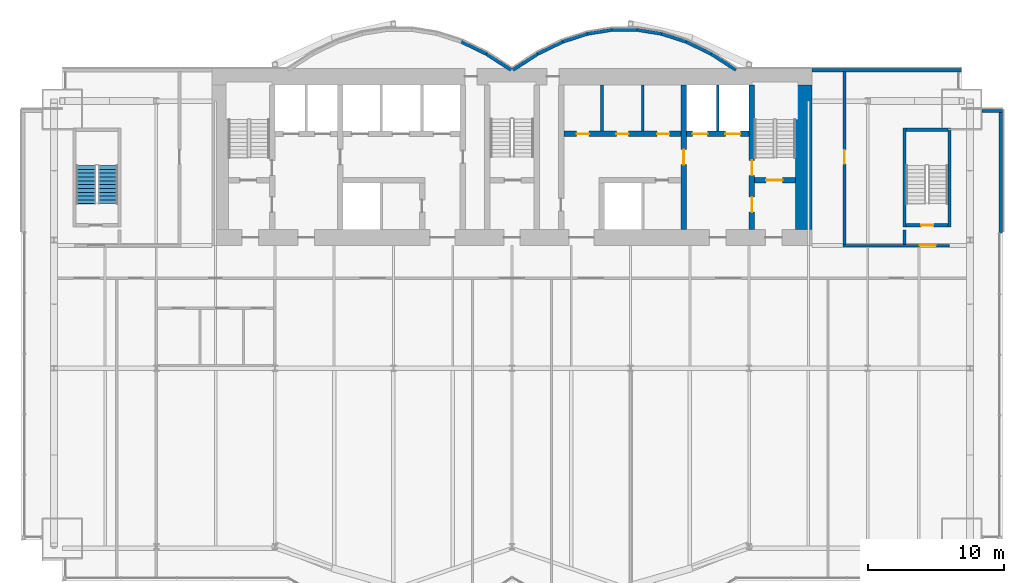
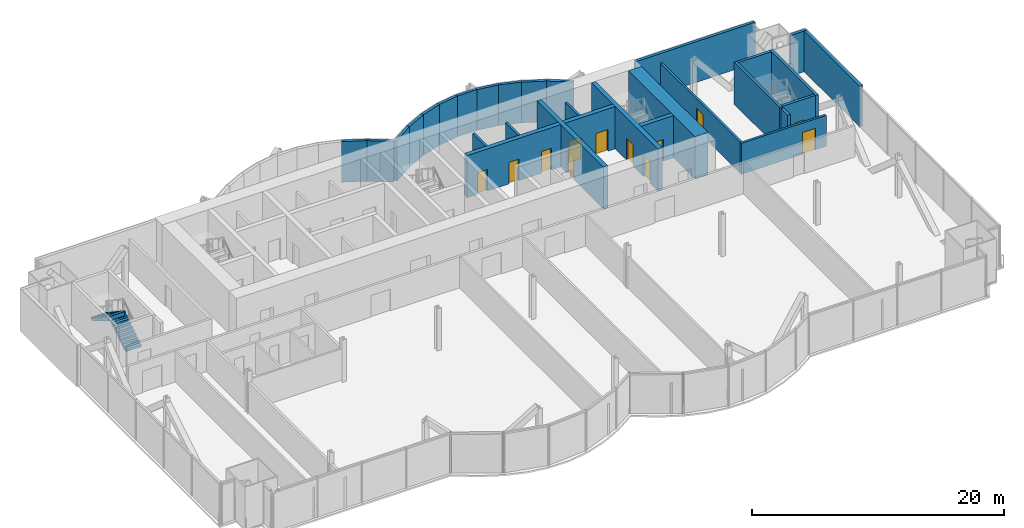
# One storey, part 17 of 21: 29 walls, 12 doors, 2 stair flights, 12 openings, 1 element without a shape of its own.
"""IFC4 building model written with IfcOpenShell, lengths in metres."""

from ifc_helpers import new_model, si_unit, direction, frame, frame_2d, origin, place, context, subcontext, project, spatial, polyline, rectangle, outline, extrude, material, layer, layer_set, layer_usage, type_object, element, fill, aggregate, save


model = new_model("IFC4")

# Units and contexts
model_context = context("Model", 3, precision=1e-05, world=origin(), true_north=direction((0.0, 1.0)))
body_context = subcontext(model_context, "Body", "Model", "MODEL_VIEW")
ifc_project = project(units=[si_unit("LENGTHUNIT", "METRE"), si_unit("AREAUNIT", "SQUARE_METRE"), si_unit("VOLUMEUNIT", "CUBIC_METRE"), si_unit("PLANEANGLEUNIT", "RADIAN"), si_unit("MASSUNIT", "GRAM", prefix="KILO")], contexts=[model_context])

# Site, building, storey
site_placement = place(None, origin())
site = spatial("IfcSite", under=ifc_project, at=site_placement, CompositionType="ELEMENT")
building_placement = place(site_placement, origin())
building = spatial("IfcBuilding", under=site, at=building_placement, Name="Bicima Exchange Tower", CompositionType="ELEMENT")
storey_placement = place(building_placement, frame((0.0, 0.0, 114.5)))
storey = spatial("IfcBuildingStorey", under=building, at=storey_placement, Name="L24", CompositionType="ELEMENT", Elevation=114.5)

# Wall
ifc_material_1 = material(Name="Gypsum board partition")
ifc_layer_1 = layer(ifc_material_1, 0.199951171875)
ifc_layer_set_1 = layer_set([ifc_layer_1], Name="Gypsum board partition")
wall_type_1 = type_object("IfcWallType", Name="Fire-rated gypsum partition 200 EI120", PredefinedType="PARTITIONING", material=ifc_layer_set_1)
wall_1_placement = place(storey_placement, frame((15.10009765625, -4.60009765625, 0.0), z_axis=(0.0, 0.0, 1.0), x_axis=(0.0, 1.0, 0.0)))
element("IfcWall", 1, at=wall_1_placement, inside=storey, type_object=wall_type_1, Name="partition wall 24", PredefinedType="PARTITIONING", context=body_context, shape_type="SweptSolid", body=[
    extrude(rectangle(XDim=3.400146484375, YDim=0.199951171875, at=frame_2d((1.7001953125, 0.0))), origin(), (0.0, 0.0, 1.0), 3.018310546875),
])

# Wall, opening, door
ifc_layer_2 = layer(ifc_material_1, 0.199951171875)
ifc_layer_set_2 = layer_set([ifc_layer_2], Name="Gypsum board partition")
wall_type_2 = type_object("IfcWallType", Name="Fire-rated gypsum partition 200 EI60", PredefinedType="PARTITIONING", material=ifc_layer_set_2)
wall_2_placement = place(storey_placement, frame((24.300048828125, -13.0, 0.0), z_axis=(0.0, 0.0, 1.0), x_axis=(1.0, 0.0, 0.0)))
wall_2 = element("IfcWall", 2, at=wall_2_placement, inside=storey, type_object=wall_type_2, Name="partition wall 5", PredefinedType="PARTITIONING", context=body_context, shape_type="SweptSolid", body=[
    extrude(rectangle(XDim=7.800048828125, YDim=0.199951171875, at=frame_2d((3.89990234375, 0.0))), origin(), (0.0, 0.0, 1.0), 3.018310546875),
])
opening_1_placement = place(wall_2_placement, frame((5.60009765625, 0.0, 0.0)))
opening_1 = element("IfcOpeningElement", 3, at=opening_1_placement, cuts=wall_2, Name="Opening L24-003", PredefinedType="OPENING", context=body_context, shape_type="SweptSolid", body=[
    extrude(rectangle(XDim=1.199951171875, YDim=2.10009765625, at=frame_2d((0.60009765625, 1.050048828125))), frame((0.0, 0.11181640625, 0.0), z_axis=(0.0, -1.0, 0.0), x_axis=(1.0, 0.0, 0.0)), (0.0, 0.0, 1.0), 0.223876953125),
])
ifc_material_2 = material(Name="Steel fire door leaf", Category="steel")
door_type_1 = type_object("IfcDoorType", Name="Door 1200 swing FD30S", OperationType="SINGLE_SWING_LEFT", PredefinedType="DOOR", material=ifc_material_2)
door_1_placement = place(opening_1_placement, origin())
door_1 = element("IfcDoor", 4, at=door_1_placement, inside=storey, type_object=door_type_1, Name="Door", OperationType="SINGLE_SWING_RIGHT", OverallHeight=2.10009765625, OverallWidth=1.199951171875, PredefinedType="DOOR", context=body_context, shape_type="SweptSolid", body=[
    extrude(rectangle(XDim=1.199951171875, YDim=2.10009765625, at=frame_2d((0.60009765625, 1.050048828125))), frame((0.0, 0.02490234375, 0.0), z_axis=(0.0, -1.0, 0.0), x_axis=(1.0, 0.0, 0.0)), (0.0, 0.0, 1.0), 0.050048828125),
])
fill(opening_1, door_1)

wall_3_placement = place(storey_placement, frame((24.39990234375, -12.89990234375, 0.0), z_axis=(0.0, 0.0, 1.0), x_axis=(0.0, 1.0, 0.0)))
wall_3 = element("IfcWall", 5, at=wall_3_placement, inside=storey, type_object=wall_type_2, Name="partition wall 25", PredefinedType="PARTITIONING", context=body_context, shape_type="SweptSolid", body=[
    extrude(rectangle(XDim=12.68994140625, YDim=0.199951171875, at=frame_2d((6.344970703125, 0.0))), origin(), (0.0, 0.0, 1.0), 3.018310546875),
])
opening_2_placement = place(wall_3_placement, frame((5.89990234375, 0.0, 0.0)))
opening_2 = element("IfcOpeningElement", 6, at=opening_2_placement, cuts=wall_3, Name="Opening L24-006", PredefinedType="OPENING", context=body_context, shape_type="SweptSolid", body=[
    extrude(rectangle(XDim=1.0, YDim=2.10009765625, at=frame_2d((0.5, 1.050048828125))), frame((0.0, 0.11181640625, 0.0), z_axis=(0.0, -1.0, 0.0), x_axis=(1.0, 0.0, 0.0)), (0.0, 0.0, 1.0), 0.223876953125),
])
door_type_2 = type_object("IfcDoorType", Name="Door 1000 swing FD30S", OperationType="SINGLE_SWING_LEFT", PredefinedType="DOOR", material=ifc_material_2)
door_2_placement = place(opening_2_placement, frame((1.0, 0.0, 0.0), z_axis=(0.0, 0.0, 1.0), x_axis=(-1.0, 0.0, 0.0)))
door_2 = element("IfcDoor", 7, at=door_2_placement, inside=storey, type_object=door_type_2, Name="Door", OperationType="SINGLE_SWING_RIGHT", OverallHeight=2.10009765625, OverallWidth=1.0, PredefinedType="DOOR", context=body_context, shape_type="SweptSolid", body=[
    extrude(rectangle(XDim=1.0, YDim=2.10009765625, at=frame_2d((0.5, 1.050048828125))), frame((0.0, 0.02490234375, 0.0), z_axis=(0.0, -1.0, 0.0), x_axis=(1.0, 0.0, 0.0)), (0.0, 0.0, 1.0), 0.050048828125),
])
fill(opening_2, door_2)

# Walls
for number, where, z_axis, x_axis, name in (
    (8, (6.60009765625, -4.60009765625, 0.0), (0.0, 0.0, 1.0), (0.0, 1.0, 0.0), "partition wall 20"),
    (9, (9.60009765625, -4.60009765625, 0.0), (0.0, 0.0, 1.0), (0.0, 1.0, 0.0), "partition wall 22"),
):
    element("IfcWall", number, at=place(storey_placement, frame(where, z_axis=z_axis, x_axis=x_axis)), inside=storey, type_object=wall_type_2, Name=name, PredefinedType="PARTITIONING", context=body_context, shape_type="SweptSolid", body=[
        extrude(rectangle(XDim=3.400146484375, YDim=0.199951171875, at=frame_2d((1.7001953125, 0.0))), origin(), (0.0, 0.0, 1.0), 3.018310546875),
    ])
ifc_material_3 = material(Name="Concrete C60/75", Category="concrete")
ifc_layer_3 = layer(ifc_material_3, 1.199951171875)
ifc_layer_set_3 = layer_set([ifc_layer_3], Name="Concrete C60/75")
wall_type_3 = type_object("IfcWallType", Name="RC core wall 1200 C60/75", PredefinedType="SHEAR", material=ifc_layer_set_3)
wall_4_placement = place(storey_placement, frame((21.39990234375, -11.800048828125, 0.0), z_axis=(0.0, 0.0, 1.0), x_axis=(0.0, 1.0, 0.0)))
element("IfcWall", 10, at=wall_4_placement, inside=storey, type_object=wall_type_3, Name="Core wall east", PredefinedType="SHEAR", context=body_context, shape_type="SweptSolid", body=[
    extrude(rectangle(XDim=10.60009765625, YDim=1.199951171875, at=frame_2d((5.300048828125, 0.0))), origin(), (0.0, 0.0, 1.0), 4.10009765625),
])
ifc_material_4 = material(Name="Concrete C50/60", Category="concrete")
ifc_layer_4 = layer(ifc_material_4, 0.25)
ifc_layer_set_4 = layer_set([ifc_layer_4], Name="Concrete C50/60")
wall_type_4 = type_object("IfcWallType", Name="RC core wall 250 C50/60", PredefinedType="SHEAR", material=ifc_layer_set_4)
wall_5_placement = place(storey_placement, frame((28.800048828125, -12.89990234375, 0.0), z_axis=(0.0, 0.0, 1.0), x_axis=(0.0, 1.0, 0.0)))
element("IfcWall", 11, at=wall_5_placement, inside=storey, type_object=wall_type_4, Name="stair wall 26", PredefinedType="SHEAR", context=body_context, shape_type="SweptSolid", body=[
    extrude(rectangle(XDim=1.0498046875, YDim=0.25, at=frame_2d((0.52490234375, 0.0))), origin(), (0.0, 0.0, 1.0), 4.10009765625),
])

# Wall, opening, door
ifc_layer_5 = layer(ifc_material_4, 0.39990234375)
ifc_layer_set_5 = layer_set([ifc_layer_5], Name="Concrete C50/60")
wall_type_5 = type_object("IfcWallType", Name="RC core wall 400 C50/60", PredefinedType="SHEAR", material=ifc_layer_set_5)
wall_6_placement = place(storey_placement, frame((17.800048828125, -8.199951171875, 0.0), z_axis=(0.0, 0.0, 1.0), x_axis=(1.0, 0.0, 0.0)))
wall_6 = element("IfcWall", 12, at=wall_6_placement, inside=storey, type_object=wall_type_5, Name="stair wall 5", PredefinedType="SHEAR", context=body_context, shape_type="SweptSolid", body=[
    extrude(rectangle(XDim=3.0, YDim=0.39990234375, at=frame_2d((1.5, 0.0))), origin(), (0.0, 0.0, 1.0), 4.10009765625),
])
opening_3_placement = place(wall_6_placement, frame((0.85009765625, 0.0, 0.0)))
opening_3 = element("IfcOpeningElement", 13, at=opening_3_placement, cuts=wall_6, Name="Opening L24-C04", PredefinedType="OPENING", context=body_context, shape_type="SweptSolid", body=[
    extrude(rectangle(XDim=1.199951171875, YDim=2.10009765625, at=frame_2d((0.60009765625, 1.050048828125))), frame((0.0, 0.2119140625, 0.0), z_axis=(0.0, -1.0, 0.0), x_axis=(1.0, 0.0, 0.0)), (0.0, 0.0, 1.0), 0.423828125),
])
door_type_3 = type_object("IfcDoorType", Name="Door 1200 swing FD60S", OperationType="SINGLE_SWING_LEFT", PredefinedType="DOOR", material=ifc_material_2)
door_3_placement = place(opening_3_placement, origin())
door_3 = element("IfcDoor", 14, at=door_3_placement, inside=storey, type_object=door_type_3, Name="Core door", OperationType="SINGLE_SWING_RIGHT", OverallHeight=2.10009765625, OverallWidth=1.199951171875, PredefinedType="DOOR", context=body_context, shape_type="SweptSolid", body=[
    extrude(rectangle(XDim=1.199951171875, YDim=2.10009765625, at=frame_2d((0.60009765625, 1.050048828125))), frame((0.0, 0.02490234375, 0.0), z_axis=(0.0, -1.0, 0.0), x_axis=(1.0, 0.0, 0.0)), (0.0, 0.0, 1.0), 0.050048828125),
])
fill(opening_3, door_3)

# Wall, openings, doors
wall_7_placement = place(storey_placement, frame((17.60009765625, -11.800048828125, 0.0), z_axis=(0.0, 0.0, 1.0), x_axis=(0.0, 1.0, 0.0)))
wall_7 = element("IfcWall", 15, at=wall_7_placement, inside=storey, type_object=wall_type_5, Name="stair wall 25", PredefinedType="SHEAR", context=body_context, shape_type="SweptSolid", body=[
    extrude(rectangle(XDim=10.60009765625, YDim=0.39990234375, at=frame_2d((5.300048828125, 0.0))), origin(), (0.0, 0.0, 1.0), 4.10009765625),
])
opening_4_placement = place(wall_7_placement, frame((1.25, 0.0, 0.0)))
opening_4 = element("IfcOpeningElement", 16, at=opening_4_placement, cuts=wall_7, Name="Opening L24-C05", PredefinedType="OPENING", context=body_context, shape_type="SweptSolid", body=[
    extrude(rectangle(XDim=1.10009765625, YDim=2.10009765625, at=frame_2d((0.550048828125, 1.050048828125))), frame((0.0, 0.2119140625, 0.0), z_axis=(0.0, -1.0, 0.0), x_axis=(1.0, 0.0, 0.0)), (0.0, 0.0, 1.0), 0.423828125),
])
opening_5_placement = place(wall_7_placement, frame((3.949951171875, 0.0, 0.0)))
opening_5 = element("IfcOpeningElement", 17, at=opening_5_placement, cuts=wall_7, Name="Opening L24-C08", PredefinedType="OPENING", context=body_context, shape_type="SweptSolid", body=[
    extrude(rectangle(XDim=1.10009765625, YDim=2.10009765625, at=frame_2d((0.550048828125, 1.050048828125))), frame((0.0, 0.2119140625, 0.0), z_axis=(0.0, -1.0, 0.0), x_axis=(1.0, 0.0, 0.0)), (0.0, 0.0, 1.0), 0.423828125),
])
door_type_4 = type_object("IfcDoorType", Name="Door 1100 swing FD60S", OperationType="SINGLE_SWING_LEFT", PredefinedType="DOOR", material=ifc_material_2)
door_4_placement = place(opening_4_placement, origin())
door_4 = element("IfcDoor", 18, at=door_4_placement, inside=storey, type_object=door_type_4, Name="Core door", OperationType="SINGLE_SWING_LEFT", OverallHeight=2.10009765625, OverallWidth=1.10009765625, PredefinedType="DOOR", context=body_context, shape_type="SweptSolid", body=[
    extrude(rectangle(XDim=1.10009765625, YDim=2.10009765625, at=frame_2d((0.550048828125, 1.050048828125))), frame((0.0, 0.02490234375, 0.0), z_axis=(0.0, -1.0, 0.0), x_axis=(1.0, 0.0, 0.0)), (0.0, 0.0, 1.0), 0.050048828125),
])
fill(opening_4, door_4)
door_5_placement = place(opening_5_placement, origin())
door_5 = element("IfcDoor", 19, at=door_5_placement, inside=storey, type_object=door_type_4, Name="Core door", OperationType="SINGLE_SWING_RIGHT", OverallHeight=2.10009765625, OverallWidth=1.10009765625, PredefinedType="DOOR", context=body_context, shape_type="SweptSolid", body=[
    extrude(rectangle(XDim=1.10009765625, YDim=2.10009765625, at=frame_2d((0.550048828125, 1.050048828125))), frame((0.0, 0.02490234375, 0.0), z_axis=(0.0, -1.0, 0.0), x_axis=(1.0, 0.0, 0.0)), (0.0, 0.0, 1.0), 0.050048828125),
])
fill(opening_5, door_5)

ifc_layer_6 = layer(ifc_material_3, 0.39990234375)
ifc_layer_set_6 = layer_set([ifc_layer_6], Name="Concrete C60/75")
wall_type_6 = type_object("IfcWallType", Name="RC core wall 400 C60/75", PredefinedType="SHEAR", material=ifc_layer_set_6)
wall_8_placement = place(storey_placement, frame((3.800048828125, -4.800048828125, 0.0), z_axis=(0.0, 0.0, 1.0), x_axis=(1.0, 0.0, 0.0)))
wall_8 = element("IfcWall", 20, at=wall_8_placement, inside=storey, type_object=wall_type_6, Name="shear wall 7", PredefinedType="SHEAR", context=body_context, shape_type="SweptSolid", body=[
    extrude(rectangle(XDim=13.599853515625, YDim=0.39990234375, at=frame_2d((6.7998046875, 0.0))), origin(), (0.0, 0.0, 1.0), 4.10009765625),
])
opening_6_placement = place(wall_8_placement, frame((9.449951171875, 0.0, 0.0)))
opening_6 = element("IfcOpeningElement", 21, at=opening_6_placement, cuts=wall_8, Name="Opening LD-FF2-L24", PredefinedType="OPENING", context=body_context, shape_type="SweptSolid", body=[
    extrude(rectangle(XDim=1.10009765625, YDim=2.10009765625, at=frame_2d((0.550048828125, 1.050048828125))), frame((0.0, 0.2119140625, 0.0), z_axis=(0.0, -1.0, 0.0), x_axis=(1.0, 0.0, 0.0)), (0.0, 0.0, 1.0), 0.423828125),
])
opening_7_placement = place(wall_8_placement, frame((11.85009765625, 0.0, 0.0)))
opening_7 = element("IfcOpeningElement", 22, at=opening_7_placement, cuts=wall_8, Name="Opening LD-SV1-L24", PredefinedType="OPENING", context=body_context, shape_type="SweptSolid", body=[
    extrude(rectangle(XDim=1.10009765625, YDim=2.10009765625, at=frame_2d((0.550048828125, 1.050048828125))), frame((0.0, 0.2119140625, 0.0), z_axis=(0.0, -1.0, 0.0), x_axis=(1.0, 0.0, 0.0)), (0.0, 0.0, 1.0), 0.423828125),
])
opening_8_placement = place(wall_8_placement, frame((0.949951171875, 0.0, 0.0)))
opening_8 = element("IfcOpeningElement", 23, at=opening_8_placement, cuts=wall_8, Name="Opening L24-C12", PredefinedType="OPENING", context=body_context, shape_type="SweptSolid", body=[
    extrude(rectangle(XDim=0.89990234375, YDim=2.10009765625, at=frame_2d((0.449951171875, 1.050048828125))), frame((0.0, 0.2119140625, 0.0), z_axis=(0.0, -1.0, 0.0), x_axis=(1.0, 0.0, 0.0)), (0.0, 0.0, 1.0), 0.423828125),
])
opening_9_placement = place(wall_8_placement, frame((3.85009765625, 0.0, 0.0)))
opening_9 = element("IfcOpeningElement", 24, at=opening_9_placement, cuts=wall_8, Name="Opening L24-C13", PredefinedType="OPENING", context=body_context, shape_type="SweptSolid", body=[
    extrude(rectangle(XDim=0.89990234375, YDim=2.10009765625, at=frame_2d((0.449951171875, 1.050048828125))), frame((0.0, 0.2119140625, 0.0), z_axis=(0.0, -1.0, 0.0), x_axis=(1.0, 0.0, 0.0)), (0.0, 0.0, 1.0), 0.423828125),
])
opening_10_placement = place(wall_8_placement, frame((6.85009765625, 0.0, 0.0)))
opening_10 = element("IfcOpeningElement", 25, at=opening_10_placement, cuts=wall_8, Name="Opening L24-C14", PredefinedType="OPENING", context=body_context, shape_type="SweptSolid", body=[
    extrude(rectangle(XDim=0.89990234375, YDim=2.10009765625, at=frame_2d((0.449951171875, 1.050048828125))), frame((0.0, 0.2119140625, 0.0), z_axis=(0.0, -1.0, 0.0), x_axis=(1.0, 0.0, 0.0)), (0.0, 0.0, 1.0), 0.423828125),
])
door_type_5 = type_object("IfcDoorType", Name="Door 900 swing FD30S", OperationType="SINGLE_SWING_LEFT", PredefinedType="DOOR", material=ifc_material_2)
door_6_placement = place(opening_8_placement, origin())
door_6 = element("IfcDoor", 26, at=door_6_placement, inside=storey, type_object=door_type_5, Name="Core door", OperationType="SINGLE_SWING_RIGHT", OverallHeight=2.10009765625, OverallWidth=0.89990234375, PredefinedType="DOOR", context=body_context, shape_type="SweptSolid", body=[
    extrude(rectangle(XDim=0.89990234375, YDim=2.10009765625, at=frame_2d((0.449951171875, 1.050048828125))), frame((0.0, 0.02490234375, 0.0), z_axis=(0.0, -1.0, 0.0), x_axis=(1.0, 0.0, 0.0)), (0.0, 0.0, 1.0), 0.050048828125),
])
fill(opening_8, door_6)
door_7_placement = place(opening_9_placement, origin())
door_7 = element("IfcDoor", 27, at=door_7_placement, inside=storey, type_object=door_type_5, Name="Core door", OperationType="SINGLE_SWING_LEFT", OverallHeight=2.10009765625, OverallWidth=0.89990234375, PredefinedType="DOOR", context=body_context, shape_type="SweptSolid", body=[
    extrude(rectangle(XDim=0.89990234375, YDim=2.10009765625, at=frame_2d((0.449951171875, 1.050048828125))), frame((0.0, 0.02490234375, 0.0), z_axis=(0.0, -1.0, 0.0), x_axis=(1.0, 0.0, 0.0)), (0.0, 0.0, 1.0), 0.050048828125),
])
fill(opening_9, door_7)
door_8_placement = place(opening_10_placement, origin())
door_8 = element("IfcDoor", 28, at=door_8_placement, inside=storey, type_object=door_type_5, Name="Core door", OperationType="SINGLE_SWING_RIGHT", OverallHeight=2.10009765625, OverallWidth=0.89990234375, PredefinedType="DOOR", context=body_context, shape_type="SweptSolid", body=[
    extrude(rectangle(XDim=0.89990234375, YDim=2.10009765625, at=frame_2d((0.449951171875, 1.050048828125))), frame((0.0, 0.02490234375, 0.0), z_axis=(0.0, -1.0, 0.0), x_axis=(1.0, 0.0, 0.0)), (0.0, 0.0, 1.0), 0.050048828125),
])
fill(opening_10, door_8)
ifc_material_5 = material(Name="Stainless steel", Category="steel")
door_type_6 = type_object("IfcDoorType", Name="Lift landing door 1100 sliding", OperationType="DOUBLE_DOOR_SLIDING", PredefinedType="DOOR", material=ifc_material_5)
door_9_placement = place(opening_6_placement, origin())
door_9 = element("IfcDoor", 29, at=door_9_placement, inside=storey, type_object=door_type_6, Name="Lift landing door FF2", OperationType="DOUBLE_DOOR_SLIDING", OverallHeight=2.10009765625, OverallWidth=1.10009765625, PredefinedType="DOOR", context=body_context, shape_type="SweptSolid", body=[
    extrude(rectangle(XDim=1.10009765625, YDim=2.10009765625, at=frame_2d((0.550048828125, 1.050048828125))), frame((0.0, 0.02490234375, 0.0), z_axis=(0.0, -1.0, 0.0), x_axis=(1.0, 0.0, 0.0)), (0.0, 0.0, 1.0), 0.050048828125),
])
fill(opening_6, door_9)
door_10_placement = place(opening_7_placement, origin())
door_10 = element("IfcDoor", 30, at=door_10_placement, inside=storey, type_object=door_type_6, Name="Lift landing door SV1", OperationType="DOUBLE_DOOR_SLIDING", OverallHeight=2.10009765625, OverallWidth=1.10009765625, PredefinedType="DOOR", context=body_context, shape_type="SweptSolid", body=[
    extrude(rectangle(XDim=1.10009765625, YDim=2.10009765625, at=frame_2d((0.550048828125, 1.050048828125))), frame((0.0, 0.02490234375, 0.0), z_axis=(0.0, -1.0, 0.0), x_axis=(1.0, 0.0, 0.0)), (0.0, 0.0, 1.0), 0.050048828125),
])
fill(opening_7, door_10)

# Wall, opening, door
wall_9_placement = place(storey_placement, frame((12.60009765625, -11.800048828125, 0.0), z_axis=(0.0, 0.0, 1.0), x_axis=(0.0, 1.0, 0.0)))
wall_9 = element("IfcWall", 31, at=wall_9_placement, inside=storey, type_object=wall_type_6, Name="shear wall 23", PredefinedType="SHEAR", context=body_context, shape_type="SweptSolid", body=[
    extrude(rectangle(XDim=10.60009765625, YDim=0.39990234375, at=frame_2d((5.300048828125, 0.0))), origin(), (0.0, 0.0, 1.0), 4.10009765625),
])
opening_11_placement = place(wall_9_placement, frame((4.75, 0.0, 0.0)))
opening_11 = element("IfcOpeningElement", 32, at=opening_11_placement, cuts=wall_9, Name="Opening L24-C09", PredefinedType="OPENING", context=body_context, shape_type="SweptSolid", body=[
    extrude(rectangle(XDim=1.10009765625, YDim=2.10009765625, at=frame_2d((0.550048828125, 1.050048828125))), frame((0.0, 0.2119140625, 0.0), z_axis=(0.0, -1.0, 0.0), x_axis=(1.0, 0.0, 0.0)), (0.0, 0.0, 1.0), 0.423828125),
])
door_11_placement = place(opening_11_placement, frame((1.10009765625, 0.0, 0.0), z_axis=(0.0, 0.0, 1.0), x_axis=(-1.0, 0.0, 0.0)))
door_11 = element("IfcDoor", 33, at=door_11_placement, inside=storey, type_object=door_type_4, Name="Core door", OperationType="SINGLE_SWING_RIGHT", OverallHeight=2.10009765625, OverallWidth=1.10009765625, PredefinedType="DOOR", context=body_context, shape_type="SweptSolid", body=[
    extrude(rectangle(XDim=1.10009765625, YDim=2.10009765625, at=frame_2d((0.550048828125, 1.050048828125))), frame((0.0, 0.02490234375, 0.0), z_axis=(0.0, -1.0, 0.0), x_axis=(1.0, 0.0, 0.0)), (0.0, 0.0, 1.0), 0.050048828125),
])
fill(opening_11, door_11)

# Walls
ifc_layer_7 = layer(ifc_material_4, 0.25)
ifc_layer_set_7 = layer_set([ifc_layer_7], Name="Concrete C50/60")
wall_type_7 = type_object("IfcWallType", Name="RC stair enclosure wall 250 C50/60", PredefinedType="SHEAR", material=ifc_layer_set_7)
for number, where, z_axis, x_axis, name in (
    (34, (28.800048828125, -11.625, 0.0), (0.0, 0.0, 1.0), (0.0, 1.0, 0.0), "East end exit stair wall W"),
    (35, (32.10009765625, -11.625, 0.0), (0.0, 0.0, 1.0), (0.0, 1.0, 0.0), "East end exit stair wall E"),
):
    element("IfcWall", number, at=place(storey_placement, frame(where, z_axis=z_axis, x_axis=x_axis)), inside=storey, type_object=wall_type_7, Name=name, PredefinedType="SHEAR", context=body_context, shape_type="SweptSolid", body=[
        extrude(rectangle(XDim=7.25, YDim=0.25, at=frame_2d((3.625, 0.0))), origin(), (0.0, 0.0, 1.0), 4.10009765625),
    ])

# Wall, opening, door
wall_10_placement = place(storey_placement, frame((28.925048828125, -11.5, 0.0), z_axis=(0.0, 0.0, 1.0), x_axis=(1.0, 0.0, 0.0)))
wall_10 = element("IfcWall", 36, at=wall_10_placement, inside=storey, type_object=wall_type_7, Name="East end exit stair wall S", PredefinedType="SHEAR", context=body_context, shape_type="SweptSolid", body=[
    extrude(rectangle(XDim=3.050048828125, YDim=0.25, at=frame_2d((1.52490234375, 0.0))), origin(), (0.0, 0.0, 1.0), 4.10009765625),
])
opening_12_placement = place(wall_10_placement, frame((1.10009765625, 0.0, 0.0)))
opening_12 = element("IfcOpeningElement", 37, at=opening_12_placement, cuts=wall_10, Name="Opening L24-004", PredefinedType="OPENING", context=body_context, shape_type="SweptSolid", body=[
    extrude(rectangle(XDim=0.89990234375, YDim=2.10009765625, at=frame_2d((0.449951171875, 1.050048828125))), frame((0.0, 0.136962890625, 0.0), z_axis=(0.0, -1.0, 0.0), x_axis=(1.0, 0.0, 0.0)), (0.0, 0.0, 1.0), 0.27392578125),
])
door_type_7 = type_object("IfcDoorType", Name="Door 900 swing FD60S", OperationType="SINGLE_SWING_LEFT", PredefinedType="DOOR", material=ifc_material_2)
door_12_placement = place(opening_12_placement, origin())
door_12 = element("IfcDoor", 38, at=door_12_placement, inside=storey, type_object=door_type_7, Name="Door", OperationType="SINGLE_SWING_LEFT", OverallHeight=2.10009765625, OverallWidth=0.89990234375, PredefinedType="DOOR", context=body_context, shape_type="SweptSolid", body=[
    extrude(rectangle(XDim=0.89990234375, YDim=2.10009765625, at=frame_2d((0.449951171875, 1.050048828125))), frame((0.0, 0.02490234375, 0.0), z_axis=(0.0, -1.0, 0.0), x_axis=(1.0, 0.0, 0.0)), (0.0, 0.0, 1.0), 0.050048828125),
])
fill(opening_12, door_12)

# Walls
wall_11_placement = place(storey_placement, frame((28.925048828125, -4.5, 0.0), z_axis=(0.0, 0.0, 1.0), x_axis=(1.0, 0.0, 0.0)))
element("IfcWall", 39, at=wall_11_placement, inside=storey, type_object=wall_type_7, Name="East end exit stair wall N", PredefinedType="SHEAR", context=body_context, shape_type="SweptSolid", body=[
    extrude(rectangle(XDim=3.050048828125, YDim=0.25, at=frame_2d((1.52490234375, 0.0))), origin(), (0.0, 0.0, 1.0), 4.10009765625),
])
ifc_material_6 = material(Name="Concrete C40/50", Category="concrete")
ifc_layer_8 = layer(ifc_material_6, 0.25)
ifc_layer_set_8 = layer_set([ifc_layer_8], Name="Concrete C40/50")
ifc_layer_usage = layer_usage(ifc_layer_set_8, "AXIS2", "POSITIVE", -0.125)
wall_type_8 = type_object("IfcWallType", Name="Rear backup wall 250", PredefinedType="STANDARD", material=ifc_layer_set_8)
wall_12_placement = place(storey_placement, frame((33.0, -0.125, 0.0), z_axis=(0.0, 0.0, 1.0), x_axis=(-1.0, 0.0, 0.0)))
element("IfcWall", 40, at=wall_12_placement, inside=storey, type_object=wall_type_8, material=ifc_layer_usage, Name="Rear backup wall L24 1", PredefinedType="STANDARD", context=body_context, shape_type="SweptSolid", body=[
    extrude(rectangle(XDim=11.0, YDim=0.25, at=frame_2d((5.5, 0.0))), origin(), (0.0, 0.0, 1.0), 3.949951171875),
])
wall_13_placement = place(storey_placement, frame((16.43212890625, -0.10498046875, 0.0), z_axis=(0.0, 0.0, 1.0), x_axis=(-0.83981312244, 0.542875602121, 0.0)))
element("IfcWall", 41, at=wall_13_placement, inside=storey, type_object=wall_type_8, material=ifc_layer_usage, Name="Rear backup wall L24 2", PredefinedType="STANDARD", context=body_context, shape_type="SweptSolid", body=[
    extrude(rectangle(XDim=2.182861328125, YDim=0.25, at=frame_2d((1.09130859375, 0.0))), origin(), (0.0, 0.0, 1.0), 3.949951171875),
])
wall_14_placement = place(storey_placement, frame((14.6123046875, 1.07275390625, 0.0), z_axis=(0.0, 0.0, 1.0), x_axis=(-0.89982408427, 0.436252928206, 0.0)))
element("IfcWall", 42, at=wall_14_placement, inside=storey, type_object=wall_type_8, material=ifc_layer_usage, Name="Rear backup wall L24 3", PredefinedType="STANDARD", context=body_context, shape_type="SweptSolid", body=[
    extrude(rectangle(XDim=2.03759765625, YDim=0.25, at=frame_2d((1.018798828125, 0.0))), origin(), (0.0, 0.0, 1.0), 3.949951171875),
])
wall_15_placement = place(storey_placement, frame((12.794921875, 1.955078125, 0.0), z_axis=(0.0, 0.0, 1.0), x_axis=(-0.951495806175, 0.307661714928, 0.0)))
element("IfcWall", 43, at=wall_15_placement, inside=storey, type_object=wall_type_8, material=ifc_layer_usage, Name="Rear backup wall L24 4", PredefinedType="STANDARD", context=body_context, shape_type="SweptSolid", body=[
    extrude(rectangle(XDim=1.9267578125, YDim=0.25, at=frame_2d((0.96337890625, 0.0))), origin(), (0.0, 0.0, 1.0), 3.949951171875),
])
wall_16_placement = place(storey_placement, frame((10.97998046875, 2.543212890625, 0.0), z_axis=(0.0, 0.0, 1.0), x_axis=(-0.987181718931, 0.159600293885, 0.0)))
element("IfcWall", 44, at=wall_16_placement, inside=storey, type_object=wall_type_8, material=ifc_layer_usage, Name="Rear backup wall L24 5", PredefinedType="STANDARD", context=body_context, shape_type="SweptSolid", body=[
    extrude(rectangle(XDim=1.857177734375, YDim=0.25, at=frame_2d((0.9287109375, 0.0))), origin(), (0.0, 0.0, 1.0), 3.949951171875),
])
wall_17_placement = place(storey_placement, frame((9.166748046875, 2.837890625, 0.0), z_axis=(0.0, 0.0, 1.0), x_axis=(-1.0, 0.0, 0.0)))
element("IfcWall", 45, at=wall_17_placement, inside=storey, type_object=wall_type_8, material=ifc_layer_usage, Name="Rear backup wall L24 6", PredefinedType="STANDARD", context=body_context, shape_type="SweptSolid", body=[
    extrude(rectangle(XDim=1.83349609375, YDim=0.25, at=frame_2d((0.916748046875, 0.0))), origin(), (0.0, 0.0, 1.0), 3.949951171875),
])
wall_18_placement = place(storey_placement, frame((7.353271484375, 2.839599609375, 0.0), z_axis=(0.0, 0.0, 1.0), x_axis=(-0.987181718931, -0.159600293885, 0.0)))
element("IfcWall", 46, at=wall_18_placement, inside=storey, type_object=wall_type_8, material=ifc_layer_usage, Name="Rear backup wall L24 7", PredefinedType="STANDARD", context=body_context, shape_type="SweptSolid", body=[
    extrude(rectangle(XDim=1.857177734375, YDim=0.25, at=frame_2d((0.9287109375, 0.0))), origin(), (0.0, 0.0, 1.0), 3.949951171875),
])
wall_19_placement = place(storey_placement, frame((5.538330078125, 2.5478515625, 0.0), z_axis=(0.0, 0.0, 1.0), x_axis=(-0.951495806175, -0.307661714928, 0.0)))
element("IfcWall", 47, at=wall_19_placement, inside=storey, type_object=wall_type_8, material=ifc_layer_usage, Name="Rear backup wall L24 8", PredefinedType="STANDARD", context=body_context, shape_type="SweptSolid", body=[
    extrude(rectangle(XDim=1.9267578125, YDim=0.25, at=frame_2d((0.96337890625, 0.0))), origin(), (0.0, 0.0, 1.0), 3.949951171875),
])
wall_20_placement = place(storey_placement, frame((3.72119140625, 1.961669921875, 0.0), z_axis=(0.0, 0.0, 1.0), x_axis=(-0.89982408427, -0.436252928206, 0.0)))
element("IfcWall", 48, at=wall_20_placement, inside=storey, type_object=wall_type_8, material=ifc_layer_usage, Name="Rear backup wall L24 9", PredefinedType="STANDARD", context=body_context, shape_type="SweptSolid", body=[
    extrude(rectangle(XDim=2.03759765625, YDim=0.25, at=frame_2d((1.018798828125, 0.0))), origin(), (0.0, 0.0, 1.0), 3.949951171875),
])
for number, where, z_axis, x_axis, name in (
    (49, (1.901123046875, 1.080078125, 0.0), (0.0, 0.0, 1.0), (-0.83981312244, -0.542875602121, 0.0), "Rear backup wall L24 10"),
    (50, (-0.06787109375, -0.10498046875, 0.0), (0.0, 0.0, 1.0), (-0.83981312244, 0.542875602121, 0.0), "Rear backup wall L24 11"),
):
    element("IfcWall", number, at=place(storey_placement, frame(where, z_axis=z_axis, x_axis=x_axis)), inside=storey, type_object=wall_type_8, material=ifc_layer_usage, Name=name, PredefinedType="STANDARD", context=body_context, shape_type="SweptSolid", body=[
        extrude(rectangle(XDim=2.182861328125, YDim=0.25, at=frame_2d((1.09130859375, 0.0))), origin(), (0.0, 0.0, 1.0), 3.949951171875),
    ])
wall_21_placement = place(storey_placement, frame((-1.8876953125, 1.07275390625, 0.0), z_axis=(0.0, 0.0, 1.0), x_axis=(-0.89982408427, 0.436252928206, 0.0)))
element("IfcWall", 51, at=wall_21_placement, inside=storey, type_object=wall_type_8, material=ifc_layer_usage, Name="Rear backup wall L24 12", PredefinedType="STANDARD", context=body_context, shape_type="SweptSolid", body=[
    extrude(rectangle(XDim=2.03759765625, YDim=0.25, at=frame_2d((1.018798828125, 0.0))), origin(), (0.0, 0.0, 1.0), 3.949951171875),
])
wall_22_placement = place(storey_placement, frame((35.875, -12.090087890625, 0.0), z_axis=(0.0, 0.0, 1.0), x_axis=(0.0, 1.0, 0.0)))
element("IfcWall", 52, at=wall_22_placement, inside=storey, type_object=wall_type_8, material=ifc_layer_usage, Name="Rear backup wall L24 50", PredefinedType="STANDARD", context=body_context, shape_type="SweptSolid", body=[
    extrude(rectangle(XDim=9.090087890625, YDim=0.25, at=frame_2d((4.544921875, 0.0))), origin(), (0.0, 0.0, 1.0), 3.949951171875),
])
wall_23_placement = place(storey_placement, frame((36.0, -3.125, 0.0), z_axis=(0.0, 0.0, 1.0), x_axis=(-1.0, 0.0, 0.0)))
element("IfcWall", 53, at=wall_23_placement, inside=storey, type_object=wall_type_8, material=ifc_layer_usage, Name="Rear backup wall L24 51", PredefinedType="STANDARD", context=body_context, shape_type="SweptSolid", body=[
    extrude(rectangle(XDim=1.5, YDim=0.25, at=frame_2d((0.75, 0.0))), origin(), (0.0, 0.0, 1.0), 3.949951171875),
])

# Stair, stair flights
stair_type = type_object("IfcStairType", Name="Exit stair", PredefinedType="HALF_TURN_STAIR", material=ifc_material_4)
stair_placement = place(storey_placement, origin())
stair = element("IfcStair", 54, at=stair_placement, inside=storey, type_object=stair_type, Name="L24 West end exit stair", PredefinedType="HALF_TURN_STAIR")
stair_flight_type = type_object("IfcStairFlightType", Name="Stair flight RC", PredefinedType="STRAIGHT", material=ifc_material_4)
stair_flight_1_placement = place(storey_placement, frame((-29.64990234375, -9.925048828125, 0.0), z_axis=(0.0, 0.0, 1.0), x_axis=(0.0, 1.0, 0.0)))
stair_flight_1 = element("IfcStairFlight", 55, at=stair_flight_1_placement, type_object=stair_flight_type, Name="ST-WW flight 1", NumberOfRisers=11, NumberOfTreads=10, PredefinedType="STRAIGHT", RiserHeight=0.186363636, TreadLength=0.28, context=body_context, shape_type="SweptSolid", body=[
    extrude(outline(polyline([(0.0, 0.0), (0.0, 0.186279296875), (0.280029296875, 0.186279296875), (0.280029296875, 0.372802734375), (0.56005859375, 0.372802734375), (0.56005859375, 0.55908203125), (0.840087890625, 0.55908203125), (0.840087890625, 0.745361328125), (1.1201171875, 0.745361328125), (1.1201171875, 0.931884765625), (1.39990234375, 0.931884765625), (1.39990234375, 1.1181640625), (1.679931640625, 1.1181640625), (1.679931640625, 1.304443359375), (1.9599609375, 1.304443359375), (1.9599609375, 1.490966796875), (2.239990234375, 1.490966796875), (2.239990234375, 1.67724609375), (2.52001953125, 1.67724609375), (2.52001953125, 1.863525390625), (2.800048828125, 1.863525390625), (2.800048828125, 2.050048828125), (2.800048828125, 1.68359375), (0.2705078125, 0.0), (0.0, 0.0)])), frame((0.0, 0.72509765625, 0.0), z_axis=(0.0, -1.0, 0.0), x_axis=(1.0, 0.0, 0.0)), (0.0, 0.0, 1.0), 1.449951171875),
])
stair_flight_2_placement = place(storey_placement, frame((-31.25, -7.125, 2.050048828125), z_axis=(0.0, 0.0, 1.0), x_axis=(0.0, -1.0, 0.0)))
stair_flight_2 = element("IfcStairFlight", 56, at=stair_flight_2_placement, type_object=stair_flight_type, Name="ST-WW flight 2", NumberOfRisers=11, NumberOfTreads=10, PredefinedType="STRAIGHT", RiserHeight=0.186363636, TreadLength=0.28, context=body_context, shape_type="SweptSolid", body=[
    extrude(outline(polyline([(0.0, 0.0), (0.0, 0.186279296875), (0.280029296875, 0.186279296875), (0.280029296875, 0.372802734375), (0.56005859375, 0.372802734375), (0.56005859375, 0.55908203125), (0.840087890625, 0.55908203125), (0.840087890625, 0.745361328125), (1.1201171875, 0.745361328125), (1.1201171875, 0.931884765625), (1.39990234375, 0.931884765625), (1.39990234375, 1.1181640625), (1.679931640625, 1.1181640625), (1.679931640625, 1.304443359375), (1.9599609375, 1.304443359375), (1.9599609375, 1.490966796875), (2.239990234375, 1.490966796875), (2.239990234375, 1.67724609375), (2.52001953125, 1.67724609375), (2.52001953125, 1.863525390625), (2.800048828125, 1.863525390625), (2.800048828125, 1.904052734375), (2.81494140625, 1.904052734375), (2.81494140625, 1.507080078125), (0.2705078125, 0.0), (0.0, 0.0)])), frame((0.0, 0.72509765625, 0.0), z_axis=(0.0, -1.0, 0.0), x_axis=(1.0, 0.0, 0.0)), (0.0, 0.0, 1.0), 1.449951171875),
])
aggregate(stair, [stair_flight_1, stair_flight_2])

save(model, "model.ifc")
